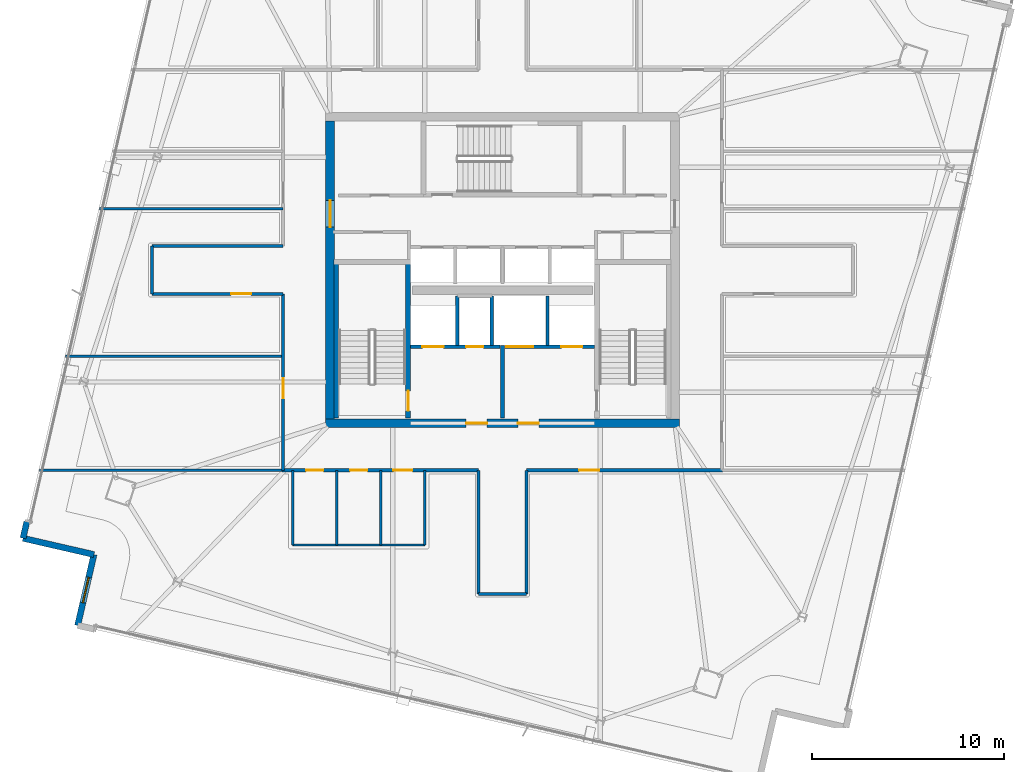
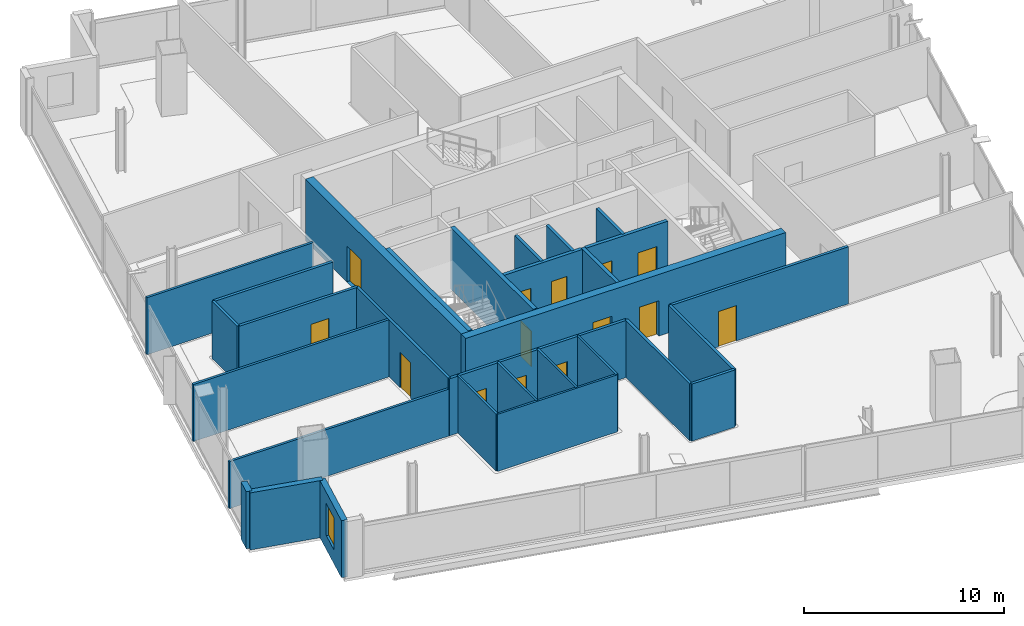
# One storey, part 20 of 28: 30 walls, 14 doors, 1 window, 15 openings.
"""IFC4 building model written with IfcOpenShell, lengths in metres."""

from ifc_helpers import new_model, si_unit, direction, frame, frame_2d, origin, place, context, subcontext, project, spatial, rectangle, extrude, material, layer, layer_set, type_object, element, fill, save


model = new_model("IFC4")

# Units and contexts
model_context = context("Model", 3, precision=1e-05, world=origin(), true_north=direction((0.0, 1.0)))
body_context = subcontext(model_context, "Body", "Model", "MODEL_VIEW")
ifc_project = project(units=[si_unit("LENGTHUNIT", "METRE"), si_unit("AREAUNIT", "SQUARE_METRE"), si_unit("VOLUMEUNIT", "CUBIC_METRE"), si_unit("PLANEANGLEUNIT", "RADIAN"), si_unit("MASSUNIT", "GRAM", prefix="KILO")], contexts=[model_context])

# Site, building, storey
site_placement = place(None, origin())
site = spatial("IfcSite", under=ifc_project, at=site_placement, CompositionType="ELEMENT")
building_placement = place(site_placement, origin())
building = spatial("IfcBuilding", under=site, at=building_placement, Name="Haldenkirk Collegiate Tower", CompositionType="ELEMENT")
storey_placement = place(building_placement, frame((0.0, 0.0, 286.199951171875)))
storey = spatial("IfcBuildingStorey", under=building, at=storey_placement, Name="L72", CompositionType="ELEMENT", Elevation=286.199951171875)

# Wall, openings, doors
ifc_material_1 = material(Name="Concrete f'c 55 MPa", Category="concrete")
ifc_layer_1 = layer(ifc_material_1, 0.449951171875)
ifc_layer_set_1 = layer_set([ifc_layer_1], Name="Concrete f'c 55 MPa")
wall_type_1 = type_object("IfcWallType", Name="WL-CORE-450", PredefinedType="SHEAR", material=ifc_layer_set_1)
wall_1_placement = place(storey_placement, frame((26.77490234375, 18.0, 0.0), z_axis=(0.0, 0.0, 1.0), x_axis=(1.0, 0.0, 0.0)))
wall_1 = element("IfcWall", 1, at=wall_1_placement, inside=storey, type_object=wall_type_1, Name="L72 central core shear wall S", PredefinedType="SHEAR", context=body_context, shape_type="SweptSolid", body=[
    extrude(rectangle(XDim=18.4501953125, YDim=0.449951171875, at=frame_2d((9.22509765625, 0.0))), origin(), (0.0, 0.0, 1.0), 3.75),
])
opening_1_placement = place(wall_1_placement, frame((7.324951171875, 0.0, 0.0)))
opening_1 = element("IfcOpeningElement", 2, at=opening_1_placement, cuts=wall_1, Name="Opening D-02", PredefinedType="OPENING", context=body_context, shape_type="SweptSolid", body=[
    extrude(rectangle(XDim=1.10009765625, YDim=2.14990234375, at=frame_2d((0.550048828125, 1.074951171875))), frame((0.0, 0.23486328125, 0.0), z_axis=(0.0, -1.0, 0.0), x_axis=(1.0, 0.0, 0.0)), (0.0, 0.0, 1.0), 0.469970703125),
])
opening_2_placement = place(wall_1_placement, frame((10.02490234375, 0.0, 0.0)))
opening_2 = element("IfcOpeningElement", 3, at=opening_2_placement, cuts=wall_1, Name="Opening D-02", PredefinedType="OPENING", context=body_context, shape_type="SweptSolid", body=[
    extrude(rectangle(XDim=1.10009765625, YDim=2.14990234375, at=frame_2d((0.550048828125, 1.074951171875))), frame((0.0, 0.23486328125, 0.0), z_axis=(0.0, -1.0, 0.0), x_axis=(1.0, 0.0, 0.0)), (0.0, 0.0, 1.0), 0.469970703125),
])
ifc_material_2 = material(Name="Galvanized fire-rated hollow steel door", Category="steel")
ifc_layer_2 = layer(ifc_material_2, 0.06005859375)
ifc_layer_set_2 = layer_set([ifc_layer_2], Name="Galvanized fire-rated hollow steel door")
door_type_1 = type_object("IfcDoorType", Name="DR-STAIR-FD90-1100", OperationType="NOTDEFINED", PredefinedType="DOOR", material=ifc_layer_set_2)
door_1_placement = place(opening_1_placement, origin())
door_1 = element("IfcDoor", 4, at=door_1_placement, inside=storey, type_object=door_type_1, Name="L72 Firefighting Lobby 1 door", OperationType="SINGLE_SWING_RIGHT", OverallHeight=2.14990234375, OverallWidth=1.10009765625, PredefinedType="DOOR", context=body_context, shape_type="SweptSolid", body=[
    extrude(rectangle(XDim=1.10009765625, YDim=2.14990234375, at=frame_2d((0.550048828125, 1.074951171875))), frame((0.0, 0.02490234375, 0.0), z_axis=(0.0, -1.0, 0.0), x_axis=(1.0, 0.0, 0.0)), (0.0, 0.0, 1.0), 0.050048828125),
])
fill(opening_1, door_1)
door_2_placement = place(opening_2_placement, origin())
door_2 = element("IfcDoor", 5, at=door_2_placement, inside=storey, type_object=door_type_1, Name="L72 Firefighting Lobby 2 door", OperationType="SINGLE_SWING_LEFT", OverallHeight=2.14990234375, OverallWidth=1.10009765625, PredefinedType="DOOR", context=body_context, shape_type="SweptSolid", body=[
    extrude(rectangle(XDim=1.10009765625, YDim=2.14990234375, at=frame_2d((0.550048828125, 1.074951171875))), frame((0.0, 0.02490234375, 0.0), z_axis=(0.0, -1.0, 0.0), x_axis=(1.0, 0.0, 0.0)), (0.0, 0.0, 1.0), 0.050048828125),
])
fill(opening_2, door_2)

# Wall, opening, door
wall_2_placement = place(storey_placement, frame((27.0, 18.22509765625, 0.0), z_axis=(0.0, 0.0, 1.0), x_axis=(0.0, 1.0, 0.0)))
wall_2 = element("IfcWall", 6, at=wall_2_placement, inside=storey, type_object=wall_type_1, Name="L72 central core shear wall W", PredefinedType="SHEAR", context=body_context, shape_type="SweptSolid", body=[
    extrude(rectangle(XDim=15.5498046875, YDim=0.449951171875, at=frame_2d((7.77490234375, 0.0))), origin(), (0.0, 0.0, 1.0), 3.75),
])
opening_3_placement = place(wall_2_placement, frame((10.014892578125, 0.0, 0.0)))
opening_3 = element("IfcOpeningElement", 7, at=opening_3_placement, cuts=wall_2, Name="Opening D-03", PredefinedType="OPENING", context=body_context, shape_type="SweptSolid", body=[
    extrude(rectangle(XDim=1.39990234375, YDim=2.199951171875, at=frame_2d((0.699951171875, 1.10009765625))), frame((0.0, 0.23486328125, 0.0), z_axis=(0.0, -1.0, 0.0), x_axis=(1.0, 0.0, 0.0)), (0.0, 0.0, 1.0), 0.469970703125),
])
ifc_layer_3 = layer(ifc_material_2, 0.06005859375)
ifc_layer_set_3 = layer_set([ifc_layer_3], Name="Galvanized fire-rated hollow steel door")
door_type_2 = type_object("IfcDoorType", Name="DR-LOBBY-FD90-1400", OperationType="NOTDEFINED", PredefinedType="DOOR", material=ifc_layer_set_3)
door_3_placement = place(opening_3_placement, origin())
door_3 = element("IfcDoor", 8, at=door_3_placement, inside=storey, type_object=door_type_2, Name="L72 west lift lobby portal", OperationType="DOUBLE_DOOR_SINGLE_SWING", OverallHeight=2.199951171875, OverallWidth=1.39990234375, PredefinedType="DOOR", context=body_context, shape_type="SweptSolid", body=[
    extrude(rectangle(XDim=1.39990234375, YDim=2.199951171875, at=frame_2d((0.699951171875, 1.10009765625))), frame((0.0, 0.02490234375, 0.0), z_axis=(0.0, -1.0, 0.0), x_axis=(1.0, 0.0, 0.0)), (0.0, 0.0, 1.0), 0.050048828125),
])
fill(opening_3, door_3)

# Walls
ifc_material_3 = material(Name="Precast concrete f'c 40 MPa", Category="concrete")
ifc_layer_4 = layer(ifc_material_3, 0.320068359375)
ifc_layer_set_4 = layer_set([ifc_layer_4], Name="Precast concrete f'c 40 MPa")
wall_type_2 = type_object("IfcWallType", Name="WL-EXT-TWR-320", PredefinedType="STANDARD", material=ifc_layer_set_4)
wall_3_placement = place(storey_placement, frame((10.9765625, 12.001708984375, 0.0), z_axis=(0.0, 0.0, 1.0), x_axis=(0.224047221593, 0.974578289568, 0.0)))
element("IfcWall", 9, at=wall_3_placement, inside=storey, type_object=wall_type_2, Name="L72 precast corner pier NL", PredefinedType="STANDARD", context=body_context, shape_type="SweptSolid", body=[
    extrude(rectangle(XDim=0.900146484375, YDim=0.320068359375, at=frame_2d((0.4501953125, 0.0))), origin(), (0.0, 0.0, 1.0), 3.47998046875),
])
wall_4_placement = place(storey_placement, frame((14.679931640625, 11.150146484375, 0.0), z_axis=(0.0, 0.0, 1.0), x_axis=(-0.974567395147, 0.224094605727, 0.0)))
element("IfcWall", 10, at=wall_4_placement, inside=storey, type_object=wall_type_2, Name="L72 bronze precast notch wall 08", PredefinedType="STANDARD", context=body_context, shape_type="SweptSolid", body=[
    extrude(rectangle(XDim=3.800048828125, YDim=0.320068359375, at=frame_2d((1.89990234375, 0.0))), origin(), (0.0, 0.0, 1.0), 3.47998046875),
])

# Wall, opening, window
wall_5_placement = place(storey_placement, frame((13.828369140625, 7.44677734375, 0.0), z_axis=(0.0, 0.0, 1.0), x_axis=(0.224094605727, 0.974567395147, 0.0)))
wall_5 = element("IfcWall", 11, at=wall_5_placement, inside=storey, type_object=wall_type_2, Name="L72 bronze precast notch wall 09", PredefinedType="STANDARD", context=body_context, shape_type="SweptSolid", body=[
    extrude(rectangle(XDim=3.800048828125, YDim=0.320068359375, at=frame_2d((1.89990234375, 0.0))), origin(), (0.0, 0.0, 1.0), 3.47998046875),
])
opening_4_placement = place(wall_5_placement, frame((1.22509765625, 0.0, 0.85009765625)))
opening_4 = element("IfcOpeningElement", 12, at=opening_4_placement, cuts=wall_5, Name="Opening W-07", PredefinedType="OPENING", context=body_context, shape_type="SweptSolid", body=[
    extrude(rectangle(XDim=1.35009765625, YDim=1.949951171875, at=frame_2d((0.675048828125, 0.97509765625))), frame((0.0, 0.169921875, 0.0), z_axis=(0.0, -1.0, 0.0), x_axis=(1.0, 0.0, 0.0)), (0.0, 0.0, 1.0), 0.340087890625),
])
ifc_material_4 = material(Name="Low-E argon triple insulating glass", Category="glass")
ifc_layer_5 = layer(ifc_material_4, 0.090087890625)
ifc_layer_set_5 = layer_set([ifc_layer_5], Name="Low-E argon triple insulating glass")
window_type = type_object("IfcWindowType", Name="WN-Z5-1350X1950", PartitioningType="SINGLE_PANEL", PredefinedType="WINDOW", material=ifc_layer_set_5)
window_placement = place(opening_4_placement, origin())
window = element("IfcWindow", 13, at=window_placement, inside=storey, type_object=window_type, Name="L72 precast-frame academic window 8", OverallHeight=1.949951171875, OverallWidth=1.35009765625, PartitioningType="SINGLE_PANEL", PredefinedType="WINDOW", context=body_context, shape_type="SweptSolid", body=[
    extrude(rectangle(XDim=1.35009765625, YDim=1.949951171875, at=frame_2d((0.675048828125, 0.97509765625))), frame((0.0, 0.030029296875, 0.0), z_axis=(0.0, -1.0, 0.0), x_axis=(1.0, 0.0, 0.0)), (0.0, 0.0, 1.0), 0.06005859375),
])
fill(opening_4, window)

# Wall, openings, doors
ifc_material_5 = material(Name="Acoustic fire-rated gypsum partition", Category="concrete")
ifc_layer_6 = layer(ifc_material_5, 0.159912109375)
ifc_layer_set_6 = layer_set([ifc_layer_6], Name="Acoustic fire-rated gypsum partition")
wall_type_3 = type_object("IfcWallType", Name="WL-INT-CORR-160", PredefinedType="PARTITIONING", material=ifc_layer_set_6)
wall_6_placement = place(storey_placement, frame((24.5, 15.550048828125, 0.0), z_axis=(0.0, 0.0, 1.0), x_axis=(1.0, 0.0, 0.0)))
wall_6 = element("IfcWall", 14, at=wall_6_placement, inside=storey, type_object=wall_type_3, Name="L72 interior partition IW-L72-CS1", PredefinedType="PARTITIONING", context=body_context, shape_type="SweptSolid", body=[
    extrude(rectangle(XDim=10.25, YDim=0.159912109375, at=frame_2d((5.125, 0.0))), origin(), (0.0, 0.0, 1.0), 3.47998046875),
])
opening_5_placement = place(wall_6_placement, frame((1.25, 0.0, 0.0)))
opening_5 = element("IfcOpeningElement", 15, at=opening_5_placement, cuts=wall_6, Name="Opening D-13", PredefinedType="OPENING", context=body_context, shape_type="SweptSolid", body=[
    extrude(rectangle(XDim=0.89990234375, YDim=2.14990234375, at=frame_2d((0.449951171875, 1.074951171875))), frame((0.0, 0.08984375, 0.0), z_axis=(0.0, -1.0, 0.0), x_axis=(1.0, 0.0, 0.0)), (0.0, 0.0, 1.0), 0.179931640625),
])
opening_6_placement = place(wall_6_placement, frame((3.550048828125, 0.0, 0.0)))
opening_6 = element("IfcOpeningElement", 16, at=opening_6_placement, cuts=wall_6, Name="Opening D-13", PredefinedType="OPENING", context=body_context, shape_type="SweptSolid", body=[
    extrude(rectangle(XDim=0.89990234375, YDim=2.14990234375, at=frame_2d((0.449951171875, 1.074951171875))), frame((0.0, 0.08984375, 0.0), z_axis=(0.0, -1.0, 0.0), x_axis=(1.0, 0.0, 0.0)), (0.0, 0.0, 1.0), 0.179931640625),
])
opening_7_placement = place(wall_6_placement, frame((5.800048828125, 0.0, 0.0)))
opening_7 = element("IfcOpeningElement", 17, at=opening_7_placement, cuts=wall_6, Name="Opening D-14", PredefinedType="OPENING", context=body_context, shape_type="SweptSolid", body=[
    extrude(rectangle(XDim=1.0, YDim=2.14990234375, at=frame_2d((0.5, 1.074951171875))), frame((0.0, 0.08984375, 0.0), z_axis=(0.0, -1.0, 0.0), x_axis=(1.0, 0.0, 0.0)), (0.0, 0.0, 1.0), 0.179931640625),
])
ifc_material_6 = material(Name="Solid-core architectural oak fire door", Category="wood")
ifc_layer_7 = layer(ifc_material_6, 0.06005859375)
ifc_layer_set_7 = layer_set([ifc_layer_7], Name="Solid-core architectural oak fire door")
door_type_3 = type_object("IfcDoorType", Name="DR-INT-ACC-1000", OperationType="NOTDEFINED", PredefinedType="DOOR", material=ifc_layer_set_7)
door_4_placement = place(opening_7_placement, origin())
door_4 = element("IfcDoor", 18, at=door_4_placement, inside=storey, type_object=door_type_3, Name="L72 Accessible WC door", OperationType="SINGLE_SWING_LEFT", OverallHeight=2.14990234375, OverallWidth=1.0, PredefinedType="DOOR", context=body_context, shape_type="SweptSolid", body=[
    extrude(rectangle(XDim=1.0, YDim=2.14990234375, at=frame_2d((0.5, 1.074951171875))), frame((0.0, 0.02490234375, 0.0), z_axis=(0.0, -1.0, 0.0), x_axis=(1.0, 0.0, 0.0)), (0.0, 0.0, 1.0), 0.050048828125),
])
fill(opening_7, door_4)
ifc_layer_8 = layer(ifc_material_6, 0.06005859375)
ifc_layer_set_8 = layer_set([ifc_layer_8], Name="Solid-core architectural oak fire door")
door_type_4 = type_object("IfcDoorType", Name="DR-INT-STD-900", OperationType="NOTDEFINED", PredefinedType="DOOR", material=ifc_layer_set_8)
door_5_placement = place(opening_5_placement, origin())
door_5 = element("IfcDoor", 19, at=door_5_placement, inside=storey, type_object=door_type_4, Name="L72 Male WC door", OperationType="SINGLE_SWING_LEFT", OverallHeight=2.14990234375, OverallWidth=0.89990234375, PredefinedType="DOOR", context=body_context, shape_type="SweptSolid", body=[
    extrude(rectangle(XDim=0.89990234375, YDim=2.14990234375, at=frame_2d((0.449951171875, 1.074951171875))), frame((0.0, 0.02490234375, 0.0), z_axis=(0.0, -1.0, 0.0), x_axis=(1.0, 0.0, 0.0)), (0.0, 0.0, 1.0), 0.050048828125),
])
fill(opening_5, door_5)
door_6_placement = place(opening_6_placement, origin())
door_6 = element("IfcDoor", 20, at=door_6_placement, inside=storey, type_object=door_type_4, Name="L72 Female WC door", OperationType="SINGLE_SWING_RIGHT", OverallHeight=2.14990234375, OverallWidth=0.89990234375, PredefinedType="DOOR", context=body_context, shape_type="SweptSolid", body=[
    extrude(rectangle(XDim=0.89990234375, YDim=2.14990234375, at=frame_2d((0.449951171875, 1.074951171875))), frame((0.0, 0.02490234375, 0.0), z_axis=(0.0, -1.0, 0.0), x_axis=(1.0, 0.0, 0.0)), (0.0, 0.0, 1.0), 0.050048828125),
])
fill(opening_6, door_6)

# Wall, opening, door
wall_7_placement = place(storey_placement, frame((37.25, 15.550048828125, 0.0), z_axis=(0.0, 0.0, 1.0), x_axis=(1.0, 0.0, 0.0)))
wall_7 = element("IfcWall", 21, at=wall_7_placement, inside=storey, type_object=wall_type_3, Name="L72 interior partition IW-L72-CS2", PredefinedType="PARTITIONING", context=body_context, shape_type="SweptSolid", body=[
    extrude(rectangle(XDim=10.25, YDim=0.159912109375, at=frame_2d((5.125, 0.0))), origin(), (0.0, 0.0, 1.0), 3.47998046875),
])
opening_8_placement = place(wall_7_placement, frame((2.7548828125, 0.0, 0.0)))
opening_8 = element("IfcOpeningElement", 22, at=opening_8_placement, cuts=wall_7, Name="Opening D-09", PredefinedType="OPENING", context=body_context, shape_type="SweptSolid", body=[
    extrude(rectangle(XDim=1.050048828125, YDim=2.14990234375, at=frame_2d((0.52490234375, 1.074951171875))), frame((0.0, 0.08984375, 0.0), z_axis=(0.0, -1.0, 0.0), x_axis=(1.0, 0.0, 0.0)), (0.0, 0.0, 1.0), 0.179931640625),
])
ifc_layer_9 = layer(ifc_material_6, 0.06005859375)
ifc_layer_set_9 = layer_set([ifc_layer_9], Name="Solid-core architectural oak fire door")
door_type_5 = type_object("IfcDoorType", Name="DR-INT-FD60-1050", OperationType="NOTDEFINED", PredefinedType="DOOR", material=ifc_layer_set_9)
door_7_placement = place(opening_8_placement, origin())
door_7 = element("IfcDoor", 23, at=door_7_placement, inside=storey, type_object=door_type_5, Name="L72 Hospitality Tea Kitchen 1 door", OperationType="SINGLE_SWING_RIGHT", OverallHeight=2.14990234375, OverallWidth=1.050048828125, PredefinedType="DOOR", context=body_context, shape_type="SweptSolid", body=[
    extrude(rectangle(XDim=1.050048828125, YDim=2.14990234375, at=frame_2d((0.52490234375, 1.074951171875))), frame((0.0, 0.02490234375, 0.0), z_axis=(0.0, -1.0, 0.0), x_axis=(1.0, 0.0, 0.0)), (0.0, 0.0, 1.0), 0.050048828125),
])
fill(opening_8, door_7)

wall_8_placement = place(storey_placement, frame((24.550048828125, 15.550048828125, 0.0), z_axis=(0.0, 0.0, 1.0), x_axis=(0.0, 1.0, 0.0)))
wall_8 = element("IfcWall", 24, at=wall_8_placement, inside=storey, type_object=wall_type_3, Name="L72 interior partition IW-L72-CW1", PredefinedType="PARTITIONING", context=body_context, shape_type="SweptSolid", body=[
    extrude(rectangle(XDim=9.199951171875, YDim=0.159912109375, at=frame_2d((4.60009765625, 0.0))), origin(), (0.0, 0.0, 1.0), 3.47998046875),
])
opening_9_placement = place(wall_8_placement, frame((3.7470703125, 0.0, 0.0)))
opening_9 = element("IfcOpeningElement", 25, at=opening_9_placement, cuts=wall_8, Name="Opening D-09", PredefinedType="OPENING", context=body_context, shape_type="SweptSolid", body=[
    extrude(rectangle(XDim=1.050048828125, YDim=2.14990234375, at=frame_2d((0.52490234375, 1.074951171875))), frame((0.0, 0.08984375, 0.0), z_axis=(0.0, -1.0, 0.0), x_axis=(1.0, 0.0, 0.0)), (0.0, 0.0, 1.0), 0.179931640625),
])
door_8_placement = place(opening_9_placement, origin())
door_8 = element("IfcDoor", 26, at=door_8_placement, inside=storey, type_object=door_type_5, Name="L72 Wet Science Laboratory 5 door", OperationType="SINGLE_SWING_RIGHT", OverallHeight=2.14990234375, OverallWidth=1.050048828125, PredefinedType="DOOR", context=body_context, shape_type="SweptSolid", body=[
    extrude(rectangle(XDim=1.050048828125, YDim=2.14990234375, at=frame_2d((0.52490234375, 1.074951171875))), frame((0.0, 0.02490234375, 0.0), z_axis=(0.0, -1.0, 0.0), x_axis=(1.0, 0.0, 0.0)), (0.0, 0.0, 1.0), 0.050048828125),
])
fill(opening_9, door_8)

# Walls
for number, where, z_axis, x_axis, name in (
    (27, (34.75, 9.10009765625, 0.0), (0.0, 0.0, 1.0), (0.0, 1.0, 0.0), "L72 interior partition IW-L72-SPW"),
    (28, (37.25, 9.10009765625, 0.0), (0.0, 0.0, 1.0), (0.0, 1.0, 0.0), "L72 interior partition IW-L72-SPE"),
):
    element("IfcWall", number, at=place(storey_placement, frame(where, z_axis=z_axis, x_axis=x_axis)), inside=storey, type_object=wall_type_3, Name=name, PredefinedType="PARTITIONING", context=body_context, shape_type="SweptSolid", body=[
        extrude(rectangle(XDim=6.449951171875, YDim=0.159912109375, at=frame_2d((3.22509765625, 0.0))), origin(), (0.0, 0.0, 1.0), 3.47998046875),
    ])
wall_9_placement = place(storey_placement, frame((34.75, 9.10009765625, 0.0), z_axis=(0.0, 0.0, 1.0), x_axis=(1.0, 0.0, 0.0)))
element("IfcWall", 29, at=wall_9_placement, inside=storey, type_object=wall_type_3, Name="L72 interior partition IW-L72-SPS", PredefinedType="PARTITIONING", context=body_context, shape_type="SweptSolid", body=[
    extrude(rectangle(XDim=2.5, YDim=0.159912109375, at=frame_2d((1.25, 0.0))), origin(), (0.0, 0.0, 1.0), 3.47998046875),
])

# Wall, opening, door
wall_10_placement = place(storey_placement, frame((17.699951171875, 24.75, 0.0), z_axis=(0.0, 0.0, 1.0), x_axis=(1.0, 0.0, 0.0)))
wall_10 = element("IfcWall", 30, at=wall_10_placement, inside=storey, type_object=wall_type_3, Name="L72 interior partition IW-L72-WPS", PredefinedType="PARTITIONING", context=body_context, shape_type="SweptSolid", body=[
    extrude(rectangle(XDim=6.85009765625, YDim=0.159912109375, at=frame_2d((3.425048828125, 0.0))), origin(), (0.0, 0.0, 1.0), 3.47998046875),
])
opening_10_placement = place(wall_10_placement, frame((4.133056640625, 0.0, 0.0)))
opening_10 = element("IfcOpeningElement", 31, at=opening_10_placement, cuts=wall_10, Name="Opening D-09", PredefinedType="OPENING", context=body_context, shape_type="SweptSolid", body=[
    extrude(rectangle(XDim=1.050048828125, YDim=2.14990234375, at=frame_2d((0.52490234375, 1.074951171875))), frame((0.0, 0.08984375, 0.0), z_axis=(0.0, -1.0, 0.0), x_axis=(1.0, 0.0, 0.0)), (0.0, 0.0, 1.0), 0.179931640625),
])
door_9_placement = place(opening_10_placement, origin())
door_9 = element("IfcDoor", 32, at=door_9_placement, inside=storey, type_object=door_type_5, Name="L72 Model Shop Laboratory 6 door", OperationType="SINGLE_SWING_LEFT", OverallHeight=2.14990234375, OverallWidth=1.050048828125, PredefinedType="DOOR", context=body_context, shape_type="SweptSolid", body=[
    extrude(rectangle(XDim=1.050048828125, YDim=2.14990234375, at=frame_2d((0.52490234375, 1.074951171875))), frame((0.0, 0.02490234375, 0.0), z_axis=(0.0, -1.0, 0.0), x_axis=(1.0, 0.0, 0.0)), (0.0, 0.0, 1.0), 0.050048828125),
])
fill(opening_10, door_9)

# Walls
wall_11_placement = place(storey_placement, frame((17.699951171875, 27.25, 0.0), z_axis=(0.0, 0.0, 1.0), x_axis=(1.0, 0.0, 0.0)))
element("IfcWall", 33, at=wall_11_placement, inside=storey, type_object=wall_type_3, Name="L72 interior partition IW-L72-WPN", PredefinedType="PARTITIONING", context=body_context, shape_type="SweptSolid", body=[
    extrude(rectangle(XDim=6.85009765625, YDim=0.159912109375, at=frame_2d((3.425048828125, 0.0))), origin(), (0.0, 0.0, 1.0), 3.47998046875),
])
wall_12_placement = place(storey_placement, frame((17.699951171875, 24.75, 0.0), z_axis=(0.0, 0.0, 1.0), x_axis=(0.0, 1.0, 0.0)))
element("IfcWall", 34, at=wall_12_placement, inside=storey, type_object=wall_type_3, Name="L72 interior partition IW-L72-WPW", PredefinedType="PARTITIONING", context=body_context, shape_type="SweptSolid", body=[
    extrude(rectangle(XDim=2.5, YDim=0.159912109375, at=frame_2d((1.25, 0.0))), origin(), (0.0, 0.0, 1.0), 3.47998046875),
])
ifc_layer_10 = layer(ifc_material_5, 0.139892578125)
ifc_layer_set_10 = layer_set([ifc_layer_10], Name="Acoustic fire-rated gypsum partition")
wall_type_4 = type_object("IfcWallType", Name="WL-INT-DIV-140", PredefinedType="PARTITIONING", material=ifc_layer_set_10)
wall_13_placement = place(storey_placement, frame((11.83349609375, 15.550048828125, 0.0), z_axis=(0.0, 0.0, 1.0), x_axis=(1.0, 0.0, 0.0)))
element("IfcWall", 35, at=wall_13_placement, inside=storey, type_object=wall_type_4, Name="L72 interior partition IW-L72-BWS", PredefinedType="PARTITIONING", context=body_context, shape_type="SweptSolid", body=[
    extrude(rectangle(XDim=12.716552734375, YDim=0.139892578125, at=frame_2d((6.3583984375, 0.0))), origin(), (0.0, 0.0, 1.0), 2.858154296875),
])
wall_14_placement = place(storey_placement, frame((13.20166015625, 21.5, 0.0), z_axis=(0.0, 0.0, 1.0), x_axis=(1.0, 0.0, 0.0)))
element("IfcWall", 36, at=wall_14_placement, inside=storey, type_object=wall_type_4, Name="L72 interior partition IW-L72-RW1", PredefinedType="PARTITIONING", context=body_context, shape_type="SweptSolid", body=[
    extrude(rectangle(XDim=11.348388671875, YDim=0.139892578125, at=frame_2d((5.67431640625, 0.0))), origin(), (0.0, 0.0, 1.0), 3.47998046875),
])
wall_15_placement = place(storey_placement, frame((14.972412109375, 29.199951171875, 0.0), z_axis=(0.0, 0.0, 1.0), x_axis=(1.0, 0.0, 0.0)))
element("IfcWall", 37, at=wall_15_placement, inside=storey, type_object=wall_type_4, Name="L72 interior partition IW-L72-RW2", PredefinedType="PARTITIONING", context=body_context, shape_type="SweptSolid", body=[
    extrude(rectangle(XDim=9.57763671875, YDim=0.139892578125, at=frame_2d((4.788818359375, 0.0))), origin(), (0.0, 0.0, 1.0), 3.47998046875),
])
ifc_material_7 = material(Name="Fire-rated gypsum shaftboard assembly", Category="concrete")
ifc_layer_11 = layer(ifc_material_7, 0.179931640625)
ifc_layer_set_11 = layer_set([ifc_layer_11], Name="Fire-rated gypsum shaftboard assembly")
wall_type_5 = type_object("IfcWallType", Name="WL-INT-SHAFT-180", PredefinedType="PARTITIONING", material=ifc_layer_set_11)
for number, where, z_axis, x_axis, name in (
    (38, (33.64990234375, 22.050048828125, 0.0), (0.0, 0.0, 1.0), (0.0, 1.0, 0.0), "L72 interior partition IW-L72-FL1E"),
    (39, (35.449951171875, 22.050048828125, 0.0), (0.0, 0.0, 1.0), (0.0, 1.0, 0.0), "L72 interior partition IW-L72-GL1W"),
    (40, (38.35009765625, 22.050048828125, 0.0), (0.0, 0.0, 1.0), (0.0, 1.0, 0.0), "L72 interior partition IW-L72-GL1E"),
):
    element("IfcWall", number, at=place(storey_placement, frame(where, z_axis=z_axis, x_axis=x_axis)), inside=storey, type_object=wall_type_5, Name=name, PredefinedType="PARTITIONING", context=body_context, shape_type="SweptSolid", body=[
        extrude(rectangle(XDim=2.599853515625, YDim=0.179931640625, at=frame_2d((1.2998046875, 0.0))), origin(), (0.0, 0.0, 1.0), 3.47998046875),
    ])
ifc_layer_12 = layer(ifc_material_7, 0.199951171875)
ifc_layer_set_12 = layer_set([ifc_layer_12], Name="Fire-rated gypsum shaftboard assembly")
wall_type_6 = type_object("IfcWallType", Name="WL-INT-SHAFT-200", PredefinedType="PARTITIONING", material=ifc_layer_set_12)
wall_16_placement = place(storey_placement, frame((36.0, 18.280029296875, 0.0), z_axis=(0.0, 0.0, 1.0), x_axis=(0.0, 1.0, 0.0)))
element("IfcWall", 41, at=wall_16_placement, inside=storey, type_object=wall_type_6, Name="L72 interior partition IW-L72-FFLM", PredefinedType="PARTITIONING", context=body_context, shape_type="SweptSolid", body=[
    extrude(rectangle(XDim=3.77001953125, YDim=0.199951171875, at=frame_2d((1.885009765625, 0.0))), origin(), (0.0, 0.0, 1.0), 3.47998046875),
])

# Wall, openings, doors
wall_17_placement = place(storey_placement, frame((31.18994140625, 22.0, 0.0), z_axis=(0.0, 0.0, 1.0), x_axis=(1.0, 0.0, 0.0)))
wall_17 = element("IfcWall", 42, at=wall_17_placement, inside=storey, type_object=wall_type_6, Name="L72 interior partition IW-L72-FFL1N", PredefinedType="PARTITIONING", context=body_context, shape_type="SweptSolid", body=[
    extrude(rectangle(XDim=4.68994140625, YDim=0.199951171875, at=frame_2d((2.344970703125, 0.0))), origin(), (0.0, 0.0, 1.0), 3.47998046875),
])
opening_11_placement = place(wall_17_placement, frame((2.909912109375, 0.0, 0.0)))
opening_11 = element("IfcOpeningElement", 43, at=opening_11_placement, cuts=wall_17, Name="Opening D-06", PredefinedType="OPENING", context=body_context, shape_type="SweptSolid", body=[
    extrude(rectangle(XDim=0.89990234375, YDim=2.14990234375, at=frame_2d((0.449951171875, 1.074951171875))), frame((0.0, 0.10986328125, 0.0), z_axis=(0.0, -1.0, 0.0), x_axis=(1.0, 0.0, 0.0)), (0.0, 0.0, 1.0), 0.219970703125),
])
opening_12_placement = place(wall_17_placement, frame((0.635009765625, 0.0, 0.0)))
opening_12 = element("IfcOpeningElement", 44, at=opening_12_placement, cuts=wall_17, Name="Opening LD-12", PredefinedType="OPENING", context=body_context, shape_type="SweptSolid", body=[
    extrude(rectangle(XDim=1.10009765625, YDim=2.14990234375, at=frame_2d((0.550048828125, 1.074951171875))), frame((0.0, 0.10986328125, 0.0), z_axis=(0.0, -1.0, 0.0), x_axis=(1.0, 0.0, 0.0)), (0.0, 0.0, 1.0), 0.219970703125),
])
ifc_layer_13 = layer(ifc_material_2, 0.06005859375)
ifc_layer_set_13 = layer_set([ifc_layer_13], Name="Galvanized fire-rated hollow steel door")
door_type_6 = type_object("IfcDoorType", Name="DR-INT-FD90-900", OperationType="NOTDEFINED", PredefinedType="DOOR", material=ifc_layer_set_13)
door_10_placement = place(opening_11_placement, origin())
door_10 = element("IfcDoor", 45, at=door_10_placement, inside=storey, type_object=door_type_6, Name="L72 electrical riser door", OperationType="SINGLE_SWING_RIGHT", OverallHeight=2.14990234375, OverallWidth=0.89990234375, PredefinedType="DOOR", context=body_context, shape_type="SweptSolid", body=[
    extrude(rectangle(XDim=0.89990234375, YDim=2.14990234375, at=frame_2d((0.449951171875, 1.074951171875))), frame((0.0, 0.02490234375, 0.0), z_axis=(0.0, -1.0, 0.0), x_axis=(1.0, 0.0, 0.0)), (0.0, 0.0, 1.0), 0.050048828125),
])
fill(opening_11, door_10)
ifc_material_8 = material(Name="Brushed architectural stainless steel", Category="steel")
ifc_layer_14 = layer(ifc_material_8, 0.06005859375)
ifc_layer_set_14 = layer_set([ifc_layer_14], Name="Brushed architectural stainless steel")
door_type_7 = type_object("IfcDoorType", Name="LD-FIRE-1100", OperationType="NOTDEFINED", PredefinedType="DOOR", material=ifc_layer_set_14)
door_11_placement = place(opening_12_placement, origin())
door_11 = element("IfcDoor", 46, at=door_11_placement, inside=storey, type_object=door_type_7, Name="L72 Elevator FL1 sliding landing door", OperationType="SLIDING_TO_LEFT", OverallHeight=2.14990234375, OverallWidth=1.10009765625, PredefinedType="DOOR", context=body_context, shape_type="SweptSolid", body=[
    extrude(rectangle(XDim=1.10009765625, YDim=2.14990234375, at=frame_2d((0.550048828125, 1.074951171875))), frame((0.0, 0.02490234375, 0.0), z_axis=(0.0, -1.0, 0.0), x_axis=(1.0, 0.0, 0.0)), (0.0, 0.0, 1.0), 0.050048828125),
])
fill(opening_12, door_11)

wall_18_placement = place(storey_placement, frame((36.1201171875, 22.0, 0.0), z_axis=(0.0, 0.0, 1.0), x_axis=(1.0, 0.0, 0.0)))
wall_18 = element("IfcWall", 47, at=wall_18_placement, inside=storey, type_object=wall_type_6, Name="L72 interior partition IW-L72-FFL2N", PredefinedType="PARTITIONING", context=body_context, shape_type="SweptSolid", body=[
    extrude(rectangle(XDim=4.68994140625, YDim=0.199951171875, at=frame_2d((2.344970703125, 0.0))), origin(), (0.0, 0.0, 1.0), 3.47998046875),
])
opening_13_placement = place(wall_18_placement, frame((2.955078125, 0.0, 0.0)))
opening_13 = element("IfcOpeningElement", 48, at=opening_13_placement, cuts=wall_18, Name="Opening LD-12", PredefinedType="OPENING", context=body_context, shape_type="SweptSolid", body=[
    extrude(rectangle(XDim=1.10009765625, YDim=2.14990234375, at=frame_2d((0.550048828125, 1.074951171875))), frame((0.0, 0.10986328125, 0.0), z_axis=(0.0, -1.0, 0.0), x_axis=(1.0, 0.0, 0.0)), (0.0, 0.0, 1.0), 0.219970703125),
])
opening_14_placement = place(wall_18_placement, frame((0.080078125, 0.0, 0.0)))
opening_14 = element("IfcOpeningElement", 49, at=opening_14_placement, cuts=wall_18, Name="Opening LD-13", PredefinedType="OPENING", context=body_context, shape_type="SweptSolid", body=[
    extrude(rectangle(XDim=1.39990234375, YDim=2.199951171875, at=frame_2d((0.699951171875, 1.10009765625))), frame((0.0, 0.10986328125, 0.0), z_axis=(0.0, -1.0, 0.0), x_axis=(1.0, 0.0, 0.0)), (0.0, 0.0, 1.0), 0.219970703125),
])
door_12_placement = place(opening_13_placement, origin())
door_12 = element("IfcDoor", 50, at=door_12_placement, inside=storey, type_object=door_type_7, Name="L72 Elevator FL2 sliding landing door", OperationType="SLIDING_TO_LEFT", OverallHeight=2.14990234375, OverallWidth=1.10009765625, PredefinedType="DOOR", context=body_context, shape_type="SweptSolid", body=[
    extrude(rectangle(XDim=1.10009765625, YDim=2.14990234375, at=frame_2d((0.550048828125, 1.074951171875))), frame((0.0, 0.02490234375, 0.0), z_axis=(0.0, -1.0, 0.0), x_axis=(1.0, 0.0, 0.0)), (0.0, 0.0, 1.0), 0.050048828125),
])
fill(opening_13, door_12)
ifc_layer_15 = layer(ifc_material_8, 0.06005859375)
ifc_layer_set_15 = layer_set([ifc_layer_15], Name="Brushed architectural stainless steel")
door_type_8 = type_object("IfcDoorType", Name="LD-GOODS-1400", OperationType="NOTDEFINED", PredefinedType="DOOR", material=ifc_layer_set_15)
door_13_placement = place(opening_14_placement, origin())
door_13 = element("IfcDoor", 51, at=door_13_placement, inside=storey, type_object=door_type_8, Name="L72 Elevator GL1 sliding landing door", OperationType="SLIDING_TO_LEFT", OverallHeight=2.199951171875, OverallWidth=1.39990234375, PredefinedType="DOOR", context=body_context, shape_type="SweptSolid", body=[
    extrude(rectangle(XDim=1.39990234375, YDim=2.199951171875, at=frame_2d((0.699951171875, 1.10009765625))), frame((0.0, 0.02490234375, 0.0), z_axis=(0.0, -1.0, 0.0), x_axis=(1.0, 0.0, 0.0)), (0.0, 0.0, 1.0), 0.050048828125),
])
fill(opening_14, door_13)

# Walls
ifc_layer_16 = layer(ifc_material_5, 0.1201171875)
ifc_layer_set_16 = layer_set([ifc_layer_16], Name="Acoustic fire-rated gypsum partition")
wall_type_7 = type_object("IfcWallType", Name="WL-INT-WET-120", PredefinedType="PARTITIONING", material=ifc_layer_set_16)
for number, where, z_axis, x_axis, name in (
    (52, (25.050048828125, 11.64990234375, 0.0), (0.0, 0.0, 1.0), (0.0, 1.0, 0.0), "L72 interior partition IW-L72-WCW"),
    (53, (27.35009765625, 11.64990234375, 0.0), (0.0, 0.0, 1.0), (0.0, 1.0, 0.0), "L72 interior partition IW-L72-WC1"),
    (54, (29.64990234375, 11.64990234375, 0.0), (0.0, 0.0, 1.0), (0.0, 1.0, 0.0), "L72 interior partition IW-L72-WC2"),
    (55, (31.949951171875, 11.64990234375, 0.0), (0.0, 0.0, 1.0), (0.0, 1.0, 0.0), "L72 interior partition IW-L72-WCE"),
):
    element("IfcWall", number, at=place(storey_placement, frame(where, z_axis=z_axis, x_axis=x_axis)), inside=storey, type_object=wall_type_7, Name=name, PredefinedType="PARTITIONING", context=body_context, shape_type="SweptSolid", body=[
        extrude(rectangle(XDim=3.900146484375, YDim=0.1201171875, at=frame_2d((1.9501953125, 0.0))), origin(), (0.0, 0.0, 1.0), 3.47998046875),
    ])
wall_19_placement = place(storey_placement, frame((25.050048828125, 11.64990234375, 0.0), z_axis=(0.0, 0.0, 1.0), x_axis=(1.0, 0.0, 0.0)))
element("IfcWall", 56, at=wall_19_placement, inside=storey, type_object=wall_type_7, Name="L72 interior partition IW-L72-WCB", PredefinedType="PARTITIONING", context=body_context, shape_type="SweptSolid", body=[
    extrude(rectangle(XDim=6.89990234375, YDim=0.1201171875, at=frame_2d((3.449951171875, 0.0))), origin(), (0.0, 0.0, 1.0), 3.47998046875),
])

# Wall, opening, door
ifc_layer_17 = layer(ifc_material_1, 0.239990234375)
ifc_layer_set_17 = layer_set([ifc_layer_17], Name="Concrete f'c 55 MPa")
wall_type_8 = type_object("IfcWallType", Name="WL-SHAFT-240", PredefinedType="SHEAR", material=ifc_layer_set_17)
wall_20_placement = place(storey_placement, frame((31.070068359375, 18.280029296875, 0.0), z_axis=(0.0, 0.0, 1.0), x_axis=(0.0, 1.0, 0.0)))
wall_20 = element("IfcWall", 57, at=wall_20_placement, inside=storey, type_object=wall_type_8, Name="L72 stair shaft shear wall SW-L72-ST1E", PredefinedType="SHEAR", context=body_context, shape_type="SweptSolid", body=[
    extrude(rectangle(XDim=8.260009765625, YDim=0.239990234375, at=frame_2d((4.1298828125, 0.0))), origin(), (0.0, 0.0, 1.0), 3.75),
])
opening_15_placement = place(wall_20_placement, frame((0.364990234375, 0.0, 0.0)))
opening_15 = element("IfcOpeningElement", 58, at=opening_15_placement, cuts=wall_20, Name="Opening D-01", PredefinedType="OPENING", context=body_context, shape_type="SweptSolid", body=[
    extrude(rectangle(XDim=1.050048828125, YDim=2.14990234375, at=frame_2d((0.52490234375, 1.074951171875))), frame((0.0, 0.1298828125, 0.0), z_axis=(0.0, -1.0, 0.0), x_axis=(1.0, 0.0, 0.0)), (0.0, 0.0, 1.0), 0.260009765625),
])
ifc_layer_18 = layer(ifc_material_2, 0.06005859375)
ifc_layer_set_18 = layer_set([ifc_layer_18], Name="Galvanized fire-rated hollow steel door")
door_type_9 = type_object("IfcDoorType", Name="DR-STAIR-FD90-1050", OperationType="NOTDEFINED", PredefinedType="DOOR", material=ifc_layer_set_18)
door_14_placement = place(opening_15_placement, origin())
door_14 = element("IfcDoor", 59, at=door_14_placement, inside=storey, type_object=door_type_9, Name="L72 Stair 1 door", OperationType="SINGLE_SWING_LEFT", OverallHeight=2.14990234375, OverallWidth=1.050048828125, PredefinedType="DOOR", context=body_context, shape_type="SweptSolid", body=[
    extrude(rectangle(XDim=1.050048828125, YDim=2.14990234375, at=frame_2d((0.52490234375, 1.074951171875))), frame((0.0, 0.02490234375, 0.0), z_axis=(0.0, -1.0, 0.0), x_axis=(1.0, 0.0, 0.0)), (0.0, 0.0, 1.0), 0.050048828125),
])
fill(opening_15, door_14)

# Wall
wall_21_placement = place(storey_placement, frame((27.330078125, 18.280029296875, 0.0), z_axis=(0.0, 0.0, 1.0), x_axis=(0.0, 1.0, 0.0)))
element("IfcWall", 60, at=wall_21_placement, inside=storey, type_object=wall_type_8, Name="L72 stair shaft shear wall SW-L72-ST1W", PredefinedType="SHEAR", context=body_context, shape_type="SweptSolid", body=[
    extrude(rectangle(XDim=8.260009765625, YDim=0.239990234375, at=frame_2d((4.1298828125, 0.0))), origin(), (0.0, 0.0, 1.0), 3.75),
])

save(model, "model.ifc")
